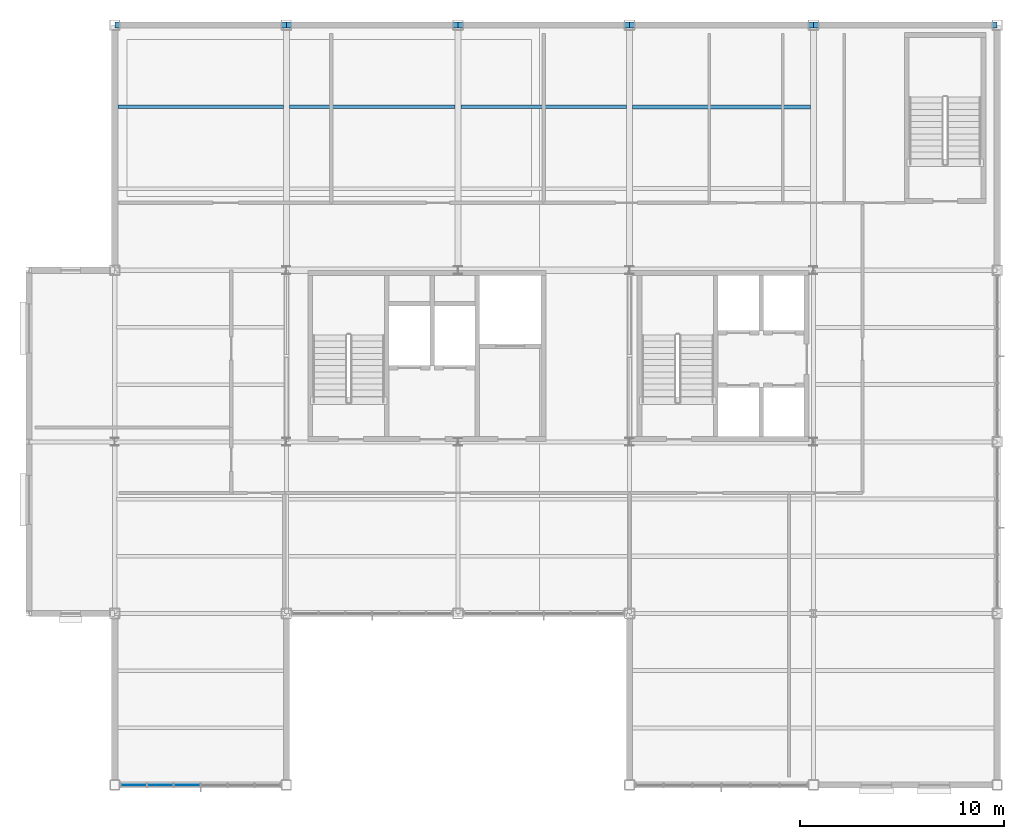
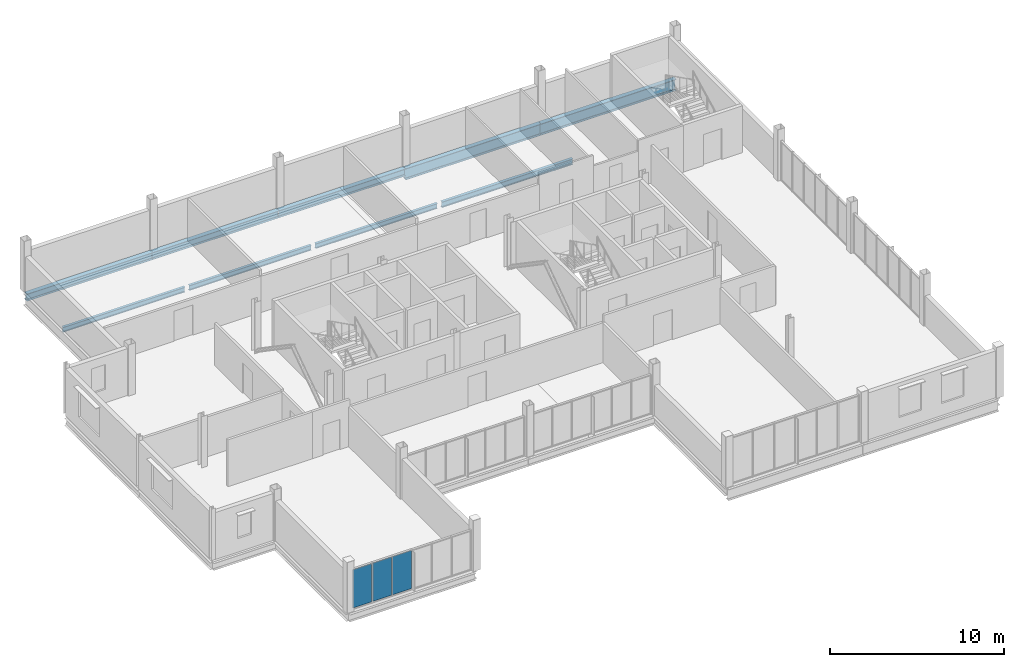
# One storey, part 10 of 19: 9 beams, 3 plates, 1 element without a shape of its own.
"""IFC4 building model written with IfcOpenShell, lengths in metres."""

from ifc_helpers import new_model, si_unit, direction, frame, origin, origin_2d, place, context, subcontext, project, spatial, rectangle, i_section, extrude, material, layer, layer_set, material_profile, profile_set, type_object, element, aggregate, save


model = new_model("IFC4")

# Units and contexts
model_context = context("Model", 3, precision=1e-05, world=origin(), true_north=direction((0.0, 1.0)))
body_context = subcontext(model_context, "Body", "Model", "MODEL_VIEW")
ifc_project = project(units=[si_unit("LENGTHUNIT", "METRE"), si_unit("AREAUNIT", "SQUARE_METRE"), si_unit("VOLUMEUNIT", "CUBIC_METRE"), si_unit("PLANEANGLEUNIT", "RADIAN"), si_unit("MASSUNIT", "GRAM", prefix="KILO")], contexts=[model_context])

# Site, building, storey
site_placement = place(None, origin())
site = spatial("IfcSite", under=ifc_project, at=site_placement, CompositionType="ELEMENT")
building_placement = place(site_placement, origin())
building = spatial("IfcBuilding", under=site, at=building_placement, Name="Yukiwa Park Conservatory and Herbarium", CompositionType="ELEMENT")
storey_placement = place(building_placement, frame((0.0, 0.0, 31.800048828125)))
storey = spatial("IfcBuildingStorey", under=building, at=storey_placement, Name="L08", CompositionType="ELEMENT", Elevation=31.800048828125)

# Beams
ifc_material_1 = material(Name="Steel Q355D", Category="steel")
ifc_material_profile_1 = material_profile(ifc_material_1, i_section(OverallWidth=0.174072265625, OverallDepth=0.345947265625, WebThickness=0.006103515625, FlangeThickness=0.009033203125, FilletRadius=0.013916015625, at=origin_2d()), Name="HN 346x174x6x9")
ifc_profile_set_1 = profile_set([ifc_material_profile_1], Name="Steel Q355D")
beam_type_1 = type_object("IfcBeamType", Name="BM-JST-HN346", PredefinedType="JOIST", material=ifc_profile_set_1)
beam_1_placement = place(storey_placement, frame((124.946044921875, 111.199951171875, -0.421142578125), z_axis=(1.0, 0.0, 0.0), x_axis=(0.0, 1.0, 0.0)))
element("IfcBeam", 1, at=beam_1_placement, inside=storey, type_object=beam_type_1, Name="L08 composite floor joist 8", PredefinedType="JOIST", context=body_context, shape_type="SweptSolid", body=[
    extrude(i_section(OverallWidth=0.174072265625, OverallDepth=0.345947265625, WebThickness=0.006103515625, FlangeThickness=0.009033203125, FilletRadius=0.013916015625, at=origin_2d()), origin(), (0.0, 0.0, 1.0), 8.10791015625),
])
beam_2_placement = place(storey_placement, frame((133.345947265625, 111.199951171875, -0.421142578125), z_axis=(1.0, 0.0, 0.0), x_axis=(0.0, 1.0, 0.0)))
element("IfcBeam", 2, at=beam_2_placement, inside=storey, type_object=beam_type_1, Name="L08 composite floor joist 12", PredefinedType="JOIST", context=body_context, shape_type="SweptSolid", body=[
    extrude(i_section(OverallWidth=0.174072265625, OverallDepth=0.345947265625, WebThickness=0.006103515625, FlangeThickness=0.009033203125, FilletRadius=0.013916015625, at=origin_2d()), origin(), (0.0, 0.0, 1.0), 8.108154296875),
])
beam_3_placement = place(storey_placement, frame((141.74609375, 111.199951171875, -0.421142578125), z_axis=(1.0, 0.0, 0.0), x_axis=(0.0, 1.0, 0.0)))
element("IfcBeam", 3, at=beam_3_placement, inside=storey, type_object=beam_type_1, Name="L08 composite floor joist 16", PredefinedType="JOIST", context=body_context, shape_type="SweptSolid", body=[
    extrude(i_section(OverallWidth=0.174072265625, OverallDepth=0.345947265625, WebThickness=0.006103515625, FlangeThickness=0.009033203125, FilletRadius=0.013916015625, at=origin_2d()), origin(), (0.0, 0.0, 1.0), 8.10791015625),
])
ifc_material_2 = material(Name="Steel Q355D", Category="steel")
ifc_material_profile_2 = material_profile(ifc_material_2, i_section(OverallWidth=0.198974609375, OverallDepth=0.39599609375, WebThickness=0.007080078125, FlangeThickness=0.010986328125, FilletRadius=0.01611328125, at=origin_2d()), Name="HN 396x199x7x11")
ifc_profile_set_2 = profile_set([ifc_material_profile_2], Name="Steel Q355D")
beam_type_2 = type_object("IfcBeamType", Name="BM-JST-HN396", PredefinedType="JOIST", material=ifc_profile_set_2)
beam_4_placement = place(storey_placement, frame((150.14599609375, 111.199951171875, -0.446044921875), z_axis=(1.0, 0.0, 0.0), x_axis=(0.0, 1.0, 0.0)))
element("IfcBeam", 4, at=beam_4_placement, inside=storey, type_object=beam_type_2, Name="L08 composite floor joist 22", PredefinedType="JOIST", context=body_context, shape_type="SweptSolid", body=[
    extrude(i_section(OverallWidth=0.198974609375, OverallDepth=0.39599609375, WebThickness=0.007080078125, FlangeThickness=0.010986328125, FilletRadius=0.01611328125, at=origin_2d()), origin(), (0.0, 0.0, 1.0), 8.7080078125),
])
ifc_material_3 = material(Name="Steel Q355D", Category="steel")
ifc_material_profile_3 = material_profile(ifc_material_3, i_section(OverallWidth=0.300048828125, OverallDepth=0.5, WebThickness=0.010986328125, FlangeThickness=0.01806640625, FilletRadius=0.02392578125, at=origin_2d()), Name="HM 500x300x11x18")
ifc_profile_set_3 = profile_set([ifc_material_profile_3], Name="Steel Q355D")
beam_type_3 = type_object("IfcBeamType", Name="BM-SPN-HN500", PredefinedType="SPANDREL", material=ifc_profile_set_3)
beam_5_placement = place(storey_placement, frame((124.805908203125, 115.199951171875, -0.498046875), z_axis=(1.0, 0.0, 0.0), x_axis=(0.0, 1.0, 0.0)))
element("IfcBeam", 5, at=beam_5_placement, inside=storey, type_object=beam_type_3, Name="L08 spandrel beam X-22", PredefinedType="SPANDREL", context=body_context, shape_type="SweptSolid", body=[
    extrude(i_section(OverallWidth=0.300048828125, OverallDepth=0.5, WebThickness=0.010986328125, FlangeThickness=0.01806640625, FilletRadius=0.02392578125, at=origin_2d()), origin(), (0.0, 0.0, 1.0), 8.38818359375),
])
for number, where, z_axis, x_axis, name in (
    (6, (133.2060546875, 115.199951171875, -0.498046875), (1.0, 0.0, 0.0), (0.0, 1.0, 0.0), "L08 spandrel beam X-23"),
    (7, (141.60595703125, 115.199951171875, -0.498046875), (1.0, 0.0, 0.0), (0.0, 1.0, 0.0), "L08 spandrel beam X-24"),
):
    element("IfcBeam", number, at=place(storey_placement, frame(where, z_axis=z_axis, x_axis=x_axis)), inside=storey, type_object=beam_type_3, Name=name, PredefinedType="SPANDREL", context=body_context, shape_type="SweptSolid", body=[
        extrude(i_section(OverallWidth=0.300048828125, OverallDepth=0.5, WebThickness=0.010986328125, FlangeThickness=0.01806640625, FilletRadius=0.02392578125, at=origin_2d()), origin(), (0.0, 0.0, 1.0), 8.387939453125),
    ])
ifc_material_4 = material(Name="Steel Q355D", Category="steel")
ifc_material_profile_4 = material_profile(ifc_material_4, i_section(OverallWidth=0.300048828125, OverallDepth=0.7919921875, WebThickness=0.013916015625, FlangeThickness=0.02197265625, FilletRadius=0.028076171875, at=origin_2d()), Name="HN 792x300x14x22")
ifc_profile_set_4 = profile_set([ifc_material_profile_4], Name="Steel Q355D")
beam_type_4 = type_object("IfcBeamType", Name="BM-SPN-HN600", PredefinedType="SPANDREL", material=ifc_profile_set_4)
for number, where, z_axis, x_axis, name in (
    (8, (150.006103515625, 115.199951171875, -0.64404296875), (1.0, 0.0, 0.0), (0.0, 1.0, 0.0), "L08 spandrel beam X-25"),
    (9, (159.006103515625, 115.199951171875, -0.64404296875), (1.0, 0.0, 0.0), (0.0, 1.0, 0.0), "L08 spandrel beam X-26"),
):
    element("IfcBeam", number, at=place(storey_placement, frame(where, z_axis=z_axis, x_axis=x_axis)), inside=storey, type_object=beam_type_4, Name=name, PredefinedType="SPANDREL", context=body_context, shape_type="SweptSolid", body=[
        extrude(i_section(OverallWidth=0.300048828125, OverallDepth=0.7919921875, WebThickness=0.013916015625, FlangeThickness=0.02197265625, FilletRadius=0.028076171875, at=origin_2d()), origin(), (0.0, 0.0, 1.0), 8.98779296875),
    ])

# Curtain wall, plates
ifc_material_5 = material(Name="Triple Low-E Insulated Glass", Category="glass")
ifc_layer_1 = layer(ifc_material_5, 0.248046875)
ifc_layer_set_1 = layer_set([ifc_layer_1], Name="Triple Low-E Insulated Glass")
curtain_wall_type = type_object("IfcCurtainWallType", Name="CW-TOWER-LAB-S-1400", PredefinedType="NOTDEFINED", material=ifc_layer_set_1)
curtain_wall_placement = place(storey_placement, origin())
curtain_wall = element("IfcCurtainWall", 10, at=curtain_wall_placement, inside=storey, type_object=curtain_wall_type, Name="L08 unitised curtain wall CW-L08-093", PredefinedType="NOTDEFINED")
ifc_material_6 = material(Name="Triple Low-E Insulated Glass", Category="glass")
ifc_layer_2 = layer(ifc_material_6, 0.035888671875)
ifc_layer_set_2 = layer_set([ifc_layer_2], Name="Triple Low-E Insulated Glass")
plate_type = type_object("IfcPlateType", Name="PL-CW-GLZ-36", PredefinedType="CURTAIN_PANEL", material=ifc_layer_set_2)
plate_1_placement = place(storey_placement, frame((125.708251953125, 78.0, 0.06982421875), z_axis=(0.0, 0.0, 1.0), x_axis=(1.0, 0.0, 0.0)))
plate_1 = element("IfcPlate", 11, at=plate_1_placement, type_object=plate_type, Name="CW-L08-093 vision panel 1.1", PredefinedType="CURTAIN_PANEL", context=body_context, shape_type="SweptSolid", body=[
    extrude(rectangle(XDim=1.24658203125, YDim=0.035888671875, at=origin_2d()), origin(), (0.0, 0.0, 1.0), 2.68505859375),
])
plate_2_placement = place(storey_placement, frame((127.02490234375, 78.0, 0.06982421875), z_axis=(0.0, 0.0, 1.0), x_axis=(1.0, 0.0, 0.0)))
plate_2 = element("IfcPlate", 12, at=plate_2_placement, type_object=plate_type, Name="CW-L08-093 vision panel 2.1", PredefinedType="CURTAIN_PANEL", context=body_context, shape_type="SweptSolid", body=[
    extrude(rectangle(XDim=1.24658203125, YDim=0.035888671875, at=origin_2d()), origin(), (0.0, 0.0, 1.0), 2.68505859375),
])
plate_3_placement = place(storey_placement, frame((128.341796875, 78.0, 0.06982421875), z_axis=(0.0, 0.0, 1.0), x_axis=(1.0, 0.0, 0.0)))
plate_3 = element("IfcPlate", 13, at=plate_3_placement, type_object=plate_type, Name="CW-L08-093 vision panel 3.1", PredefinedType="CURTAIN_PANEL", context=body_context, shape_type="SweptSolid", body=[
    extrude(rectangle(XDim=1.24658203125, YDim=0.035888671875, at=origin_2d()), origin(), (0.0, 0.0, 1.0), 2.68505859375),
])
aggregate(curtain_wall, [plate_1, plate_2, plate_3])

save(model, "model.ifc")
